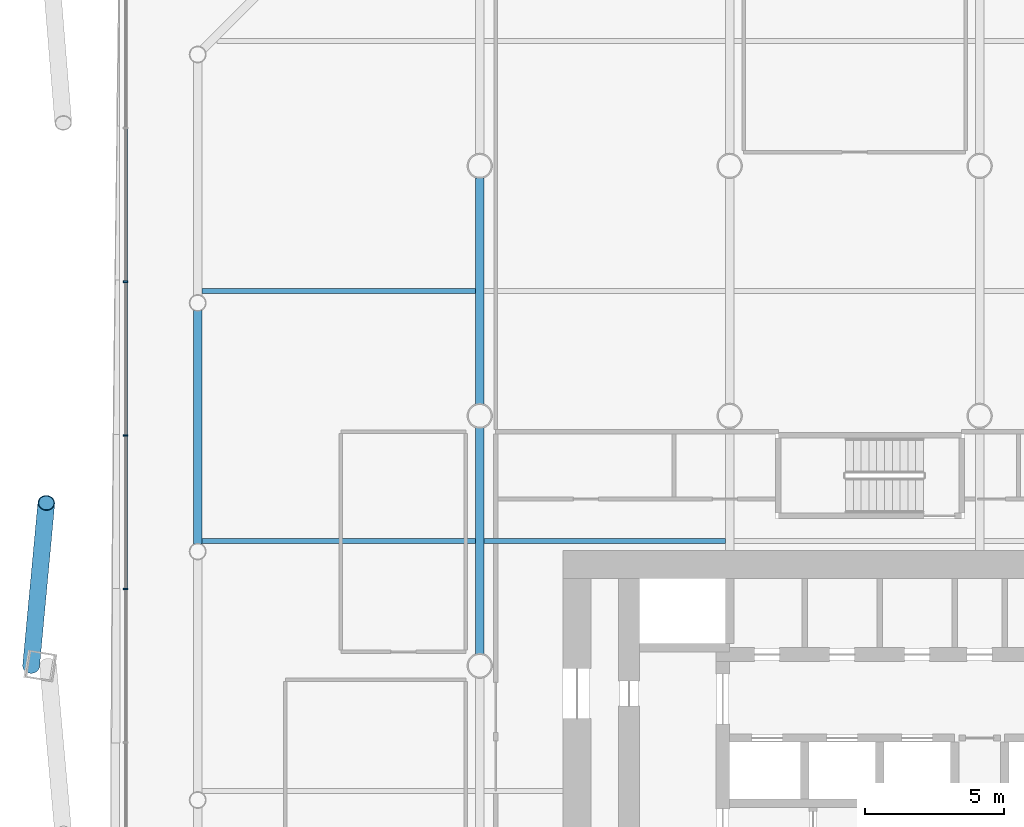
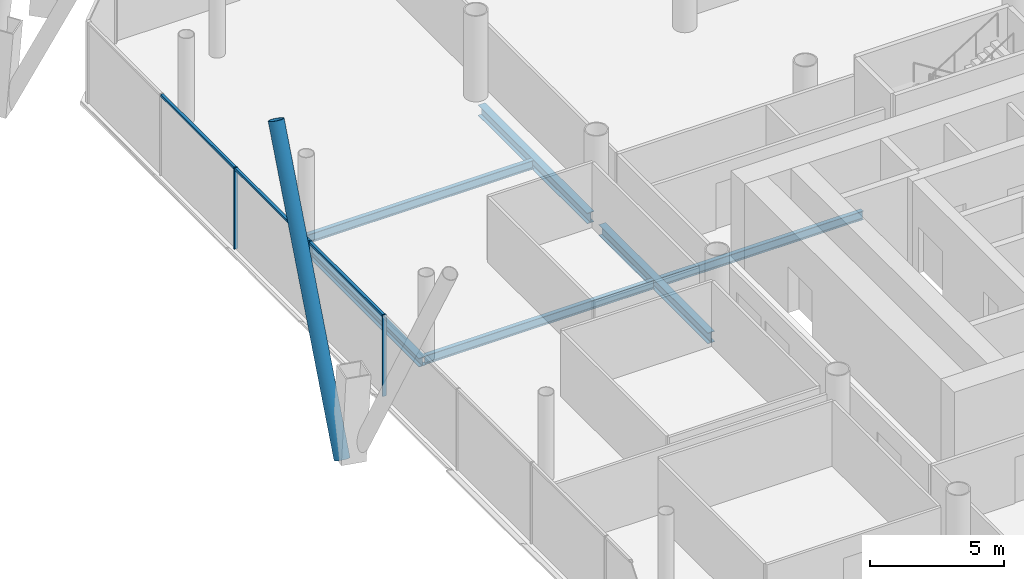
# One storey, part 9 of 25: 7 members, 6 beams, 1 element without a shape of its own.
"""IFC4 building model written with IfcOpenShell, lengths in metres."""

from ifc_helpers import new_model, si_unit, direction, frame, origin, origin_2d, place, context, subcontext, project, spatial, rectangle, hollow_circle, i_section, extrude, material, material_profile, profile_set, type_object, element, aggregate, save


model = new_model("IFC4")

# Units and contexts
model_context = context("Model", 3, precision=1e-05, world=origin(), true_north=direction((0.0, 1.0)))
body_context = subcontext(model_context, "Body", "Model", "MODEL_VIEW")
ifc_project = project(units=[si_unit("LENGTHUNIT", "METRE"), si_unit("AREAUNIT", "SQUARE_METRE"), si_unit("VOLUMEUNIT", "CUBIC_METRE"), si_unit("PLANEANGLEUNIT", "RADIAN"), si_unit("MASSUNIT", "GRAM", prefix="KILO")], contexts=[model_context])

# Site, building, storey
site_placement = place(None, origin())
site = spatial("IfcSite", under=ifc_project, at=site_placement, CompositionType="ELEMENT")
building_placement = place(site_placement, origin())
building = spatial("IfcBuilding", under=site, at=building_placement, Name="Tskaro Facet Tower", CompositionType="ELEMENT")
storey_placement = place(building_placement, frame((0.0, 0.0, 10.800048828125)))
storey = spatial("IfcBuildingStorey", under=building, at=storey_placement, Name="L01", CompositionType="ELEMENT", Elevation=10.800048828125)

# Member
ifc_material_1 = material(Name="Steel S355J2H", Category="steel")
ifc_material_profile_1 = material_profile(ifc_material_1, hollow_circle(Radius=0.304931640625, WallThickness=0.030029296875, at=origin_2d()), Name="CHS 610x30")
ifc_profile_set_1 = profile_set([ifc_material_profile_1], Name="Steel S355J2H")
member_type_1 = type_object("IfcMemberType", Name="CHS 610x30 brace", PredefinedType="BRACE", material=ifc_profile_set_1)
member_1_placement = place(storey_placement, frame((-34.155029296875, 0.0, 0.0), z_axis=(0.041822472373, 0.447783743865, 0.893163254693), x_axis=(-0.995666660774, 0.092994089186, 0.0)))
element("IfcMember", 1, at=member_1_placement, inside=storey, type_object=member_type_1, Name="CHS 610x30 XB10B/1", PredefinedType="BRACE", context=body_context, shape_type="SweptSolid", body=[
    extrude(hollow_circle(Radius=0.304931640625, WallThickness=0.030029296875, at=origin_2d()), origin(), (0.0, 0.0, 1.0), 13.099365234375),
])

# Curtain wall, members
ifc_material_2 = material(Name="Bronze anodised aluminium 6063-T6", Category="aluminium")
curtain_wall_type = type_object("IfcCurtainWallType", Name="Bronze office curtain wall (FW1)", PredefinedType="NOTDEFINED", material=ifc_material_2)
curtain_wall_placement = place(storey_placement, origin())
curtain_wall = element("IfcCurtainWall", 2, at=curtain_wall_placement, inside=storey, type_object=curtain_wall_type, Name="FW1 west facet L01", PredefinedType="NOTDEFINED")
ifc_material_profile_2 = material_profile(ifc_material_2, rectangle(XDim=0.06005859375, YDim=0.159912109375, at=origin_2d()), Name="Mullion 60x160")
ifc_profile_set_2 = profile_set([ifc_material_profile_2], Name="Bronze anodised aluminium 6063-T6")
member_type_2 = type_object("IfcMemberType", Name="FW1 bronze mullion 60x160", PredefinedType="MULLION", material=ifc_profile_set_2)
member_2_placement = place(storey_placement, frame((-30.75, 13.8310546875, 0.0), z_axis=(0.0, 0.0, 1.0), x_axis=(0.0, -1.0, 0.0)))
member_2 = element("IfcMember", 3, at=member_2_placement, type_object=member_type_2, Name="FW1 west mullion 2", PredefinedType="MULLION", context=body_context, shape_type="SweptSolid", body=[
    extrude(rectangle(XDim=0.06005859375, YDim=0.159912109375, at=origin_2d()), origin(), (0.0, 0.0, 1.0), 3.699951171875),
])
member_3_placement = place(storey_placement, frame((-30.75, 8.298583984375, 0.0), z_axis=(0.0, 0.0, 1.0), x_axis=(0.0, -1.0, 0.0)))
member_3 = element("IfcMember", 4, at=member_3_placement, type_object=member_type_2, Name="FW1 west mullion 3", PredefinedType="MULLION", context=body_context, shape_type="SweptSolid", body=[
    extrude(rectangle(XDim=0.06005859375, YDim=0.159912109375, at=origin_2d()), origin(), (0.0, 0.0, 1.0), 3.699951171875),
])
member_4_placement = place(storey_placement, frame((-30.75, 2.76611328125, 0.0), z_axis=(0.0, 0.0, 1.0), x_axis=(0.0, -1.0, 0.0)))
member_4 = element("IfcMember", 5, at=member_4_placement, type_object=member_type_2, Name="FW1 west mullion 4", PredefinedType="MULLION", context=body_context, shape_type="SweptSolid", body=[
    extrude(rectangle(XDim=0.06005859375, YDim=0.159912109375, at=origin_2d()), origin(), (0.0, 0.0, 1.0), 3.699951171875),
])
ifc_material_profile_3 = material_profile(ifc_material_2, rectangle(XDim=0.1201171875, YDim=0.10009765625, at=origin_2d()), Name="Transom 120x100")
ifc_profile_set_3 = profile_set([ifc_material_profile_3], Name="Bronze anodised aluminium 6063-T6")
member_type_3 = type_object("IfcMemberType", Name="FW1 bronze transom 120x100", PredefinedType="USERDEFINED", material=ifc_profile_set_3)
member_5_placement = place(storey_placement, frame((-30.75, 19.33349609375, 3.64990234375), z_axis=(0.0, -1.0, 0.0), x_axis=(1.0, 0.0, 0.0)))
member_5 = element("IfcMember", 6, at=member_5_placement, type_object=member_type_3, Name="FW1 west transom 2.1", ObjectType="TRANSOM", PredefinedType="USERDEFINED", context=body_context, shape_type="SweptSolid", body=[
    extrude(rectangle(XDim=0.1201171875, YDim=0.10009765625, at=origin_2d()), origin(), (0.0, 0.0, 1.0), 5.472412109375),
])
member_6_placement = place(storey_placement, frame((-30.75, 13.801025390625, 3.64990234375), z_axis=(0.0, -1.0, 0.0), x_axis=(1.0, 0.0, 0.0)))
member_6 = element("IfcMember", 7, at=member_6_placement, type_object=member_type_3, Name="FW1 west transom 3.1", ObjectType="TRANSOM", PredefinedType="USERDEFINED", context=body_context, shape_type="SweptSolid", body=[
    extrude(rectangle(XDim=0.1201171875, YDim=0.10009765625, at=origin_2d()), origin(), (0.0, 0.0, 1.0), 5.472412109375),
])
member_7_placement = place(storey_placement, frame((-30.75, 8.2685546875, 3.64990234375), z_axis=(0.0, -1.0, 0.0), x_axis=(1.0, 0.0, 0.0)))
member_7 = element("IfcMember", 8, at=member_7_placement, type_object=member_type_3, Name="FW1 west transom 4.1", ObjectType="TRANSOM", PredefinedType="USERDEFINED", context=body_context, shape_type="SweptSolid", body=[
    extrude(rectangle(XDim=0.1201171875, YDim=0.10009765625, at=origin_2d()), origin(), (0.0, 0.0, 1.0), 5.472412109375),
])
aggregate(curtain_wall, [member_2, member_3, member_4, member_5, member_6, member_7])

# Beams
ifc_material_3 = material(Name="Steel S355J2", Category="steel")
ifc_material_profile_4 = material_profile(ifc_material_3, i_section(OverallWidth=0.300048828125, OverallDepth=0.39990234375, WebThickness=0.013427734375, FlangeThickness=0.02392578125, FilletRadius=0.027099609375, at=origin_2d()), Name="HE 400 B")
ifc_profile_set_4 = profile_set([ifc_material_profile_4], Name="Steel S355J2")
beam_type_1 = type_object("IfcBeamType", Name="HE 400 B ring beam", PredefinedType="BEAM", material=ifc_profile_set_4)
beam_1_placement = place(storey_placement, frame((-28.156982421875, 12.7890625, -0.340087890625), z_axis=(0.0, -1.0, 0.0), x_axis=(1.0, 0.0, 0.0)))
element("IfcBeam", 9, at=beam_1_placement, inside=storey, type_object=beam_type_1, Name="HE 400 B EB21-1", PredefinedType="BEAM", context=body_context, shape_type="SweptSolid", body=[
    extrude(i_section(OverallWidth=0.300048828125, OverallDepth=0.39990234375, WebThickness=0.013427734375, FlangeThickness=0.02392578125, FilletRadius=0.027099609375, at=origin_2d()), origin(), (0.0, 0.0, 1.0), 8.39794921875),
])
ifc_material_profile_5 = material_profile(ifc_material_3, i_section(OverallWidth=0.300048828125, OverallDepth=0.489990234375, WebThickness=0.011962890625, FlangeThickness=0.02294921875, FilletRadius=0.027099609375, at=origin_2d()), Name="HE 500 A")
ifc_profile_set_5 = profile_set([ifc_material_profile_5], Name="Steel S355J2")
beam_type_2 = type_object("IfcBeamType", Name="HE 500 A girder", PredefinedType="BEAM", material=ifc_profile_set_5)
for number, where, z_axis, x_axis, name in (
    (10, (-18.0, 0.42724609375, -0.385009765625), (0.0, 1.0, 0.0), (-1.0, 0.0, 0.0), "HE 500 A GB2-4-1"),
    (11, (-18.0, 9.42724609375, -0.385009765625), (0.0, 1.0, 0.0), (-1.0, 0.0, 0.0), "HE 500 A GB2-5-1"),
):
    element("IfcBeam", number, at=place(storey_placement, frame(where, z_axis=z_axis, x_axis=x_axis)), inside=storey, type_object=beam_type_2, Name=name, PredefinedType="BEAM", context=body_context, shape_type="SweptSolid", body=[
        extrude(i_section(OverallWidth=0.300048828125, OverallDepth=0.489990234375, WebThickness=0.011962890625, FlangeThickness=0.02294921875, FilletRadius=0.027099609375, at=origin_2d()), origin(), (0.0, 0.0, 1.0), 8.1455078125),
    ])
ifc_material_profile_6 = material_profile(ifc_material_3, i_section(OverallWidth=0.179931640625, OverallDepth=0.39990234375, WebThickness=0.008544921875, FlangeThickness=0.013427734375, FilletRadius=0.02099609375, at=origin_2d()), Name="IPE 400")
ifc_profile_set_6 = profile_set([ifc_material_profile_6], Name="Steel S355J2")
beam_type_3 = type_object("IfcBeamType", Name="IPE 400 secondary beam", PredefinedType="BEAM", material=ifc_profile_set_6)
beam_2_placement = place(storey_placement, frame((-28.007080078125, 4.5, -0.340087890625), z_axis=(1.0, 0.0, 0.0), x_axis=(0.0, 1.0, 0.0)))
element("IfcBeam", 12, at=beam_2_placement, inside=storey, type_object=beam_type_3, Name="IPE 400 SB4a-1-1", PredefinedType="BEAM", context=body_context, shape_type="SweptSolid", body=[
    extrude(i_section(OverallWidth=0.179931640625, OverallDepth=0.39990234375, WebThickness=0.008544921875, FlangeThickness=0.013427734375, FilletRadius=0.02099609375, at=origin_2d()), origin(), (0.0, 0.0, 1.0), 9.857177734375),
])
beam_3_placement = place(storey_placement, frame((-17.85009765625, 4.5, -0.340087890625), z_axis=(1.0, 0.0, 0.0), x_axis=(0.0, 1.0, 0.0)))
element("IfcBeam", 13, at=beam_3_placement, inside=storey, type_object=beam_type_3, Name="IPE 400 SB4a-2-1", PredefinedType="BEAM", context=body_context, shape_type="SweptSolid", body=[
    extrude(i_section(OverallWidth=0.179931640625, OverallDepth=0.39990234375, WebThickness=0.008544921875, FlangeThickness=0.013427734375, FilletRadius=0.02099609375, at=origin_2d()), origin(), (0.0, 0.0, 1.0), 8.7001953125),
])
beam_4_placement = place(storey_placement, frame((-28.007080078125, 13.5, -0.340087890625), z_axis=(1.0, 0.0, 0.0), x_axis=(0.0, 1.0, 0.0)))
element("IfcBeam", 14, at=beam_4_placement, inside=storey, type_object=beam_type_3, Name="IPE 400 SB5a-1-1", PredefinedType="BEAM", context=body_context, shape_type="SweptSolid", body=[
    extrude(i_section(OverallWidth=0.179931640625, OverallDepth=0.39990234375, WebThickness=0.008544921875, FlangeThickness=0.013427734375, FilletRadius=0.02099609375, at=origin_2d()), origin(), (0.0, 0.0, 1.0), 9.857177734375),
])

save(model, "model.ifc")
